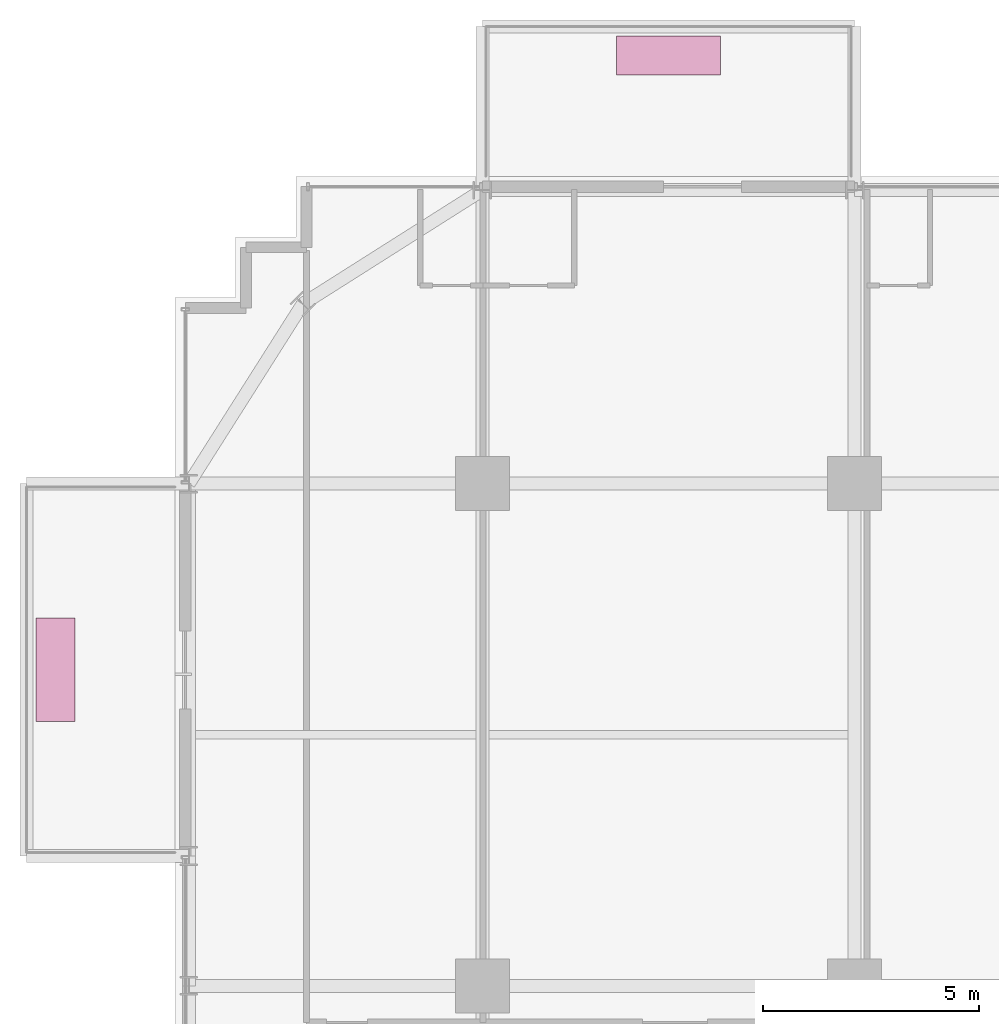
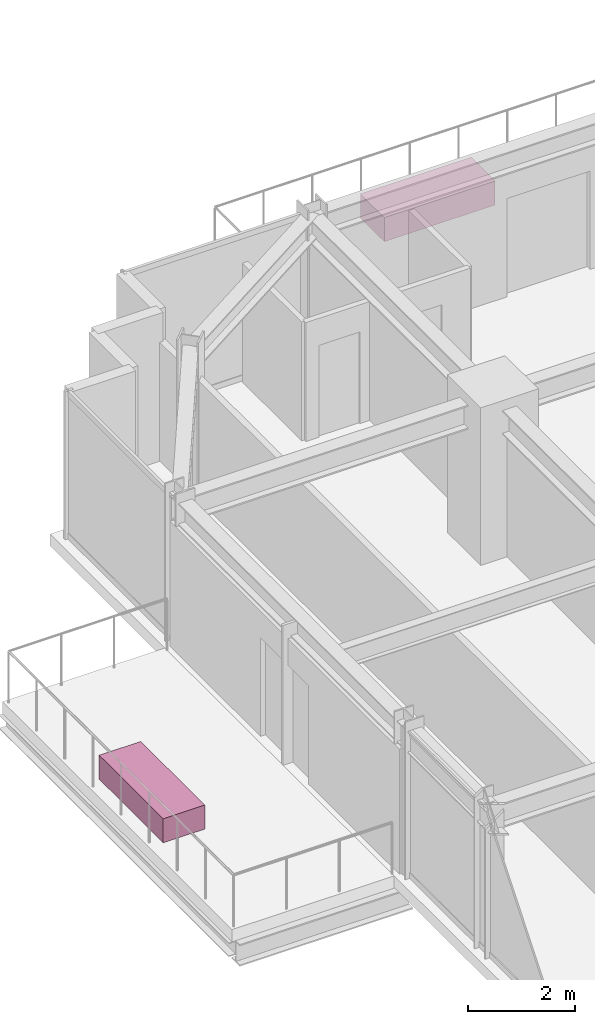
# One storey, part 35 of 35: 2 furnishings.
"""IFC4 building model written with IfcOpenShell, lengths in metres."""

from ifc_helpers import new_model, si_unit, direction, frame, origin, origin_2d, place, context, subcontext, project, spatial, rectangle, extrude, source, transform, mapped, material, type_object, element, save


model = new_model("IFC4")

# Units and contexts
model_context = context("Model", 3, precision=1e-05, world=origin(), true_north=direction((0.0, 1.0)))
body_context = subcontext(model_context, "Body", "Model", "MODEL_VIEW")
ifc_project = project(units=[si_unit("LENGTHUNIT", "METRE"), si_unit("AREAUNIT", "SQUARE_METRE"), si_unit("VOLUMEUNIT", "CUBIC_METRE"), si_unit("PLANEANGLEUNIT", "RADIAN"), si_unit("MASSUNIT", "GRAM", prefix="KILO")], contexts=[model_context])

# Site, building, storey
site_placement = place(None, origin())
site = spatial("IfcSite", under=ifc_project, at=site_placement, CompositionType="ELEMENT")
building_placement = place(site_placement, origin())
building = spatial("IfcBuilding", under=site, at=building_placement, Name="Nahalor Promenade Grand Hotel", CompositionType="ELEMENT")
storey_placement = place(building_placement, frame((0.0, 0.0, 121.14990234375)))
storey = spatial("IfcBuildingStorey", under=building, at=storey_placement, Name="L30", CompositionType="ELEMENT", Elevation=121.14990234375)

# Furnishings
ifc_material = material(Name="Vegetated Volcanic-Lapilli Tree Planter", Category="earth")
furnishing_element_type = type_object("IfcFurnishingElementType", Name="Planter-VerticalForest-Box", material=ifc_material)
shared_shape = source(origin(), body_context, "Body", "SweptSolid", [
    extrude(rectangle(XDim=2.39990234375, YDim=0.89990234375, at=origin_2d()), origin(), (0.0, 0.0, 1.0), 0.550048828125),
])
for number, where, z_axis, x_axis, name in (
    (1, (-12.699951171875, 26.889892578125, 0.0), (0.0, 0.0, 1.0), (1.0, 0.0, 0.0), "L30 Balcony Structural Tree Planter 1"),
    (2, (-26.860107421875, 12.699951171875, 0.0), (0.0, 0.0, 1.0), (0.0, 1.0, 0.0), "L30 Balcony Structural Tree Planter 2"),
):
    element("IfcFurnishingElement", number, at=place(storey_placement, frame(where, z_axis=z_axis, x_axis=x_axis)), inside=storey, type_object=furnishing_element_type, Name=name, ObjectType="PLANTER", context=body_context, shape_type="MappedRepresentation", body=[
        mapped(shared_shape, transform((0.0, 0.0, 0.0), scale=1.0)),
    ])

save(model, "model.ifc")
